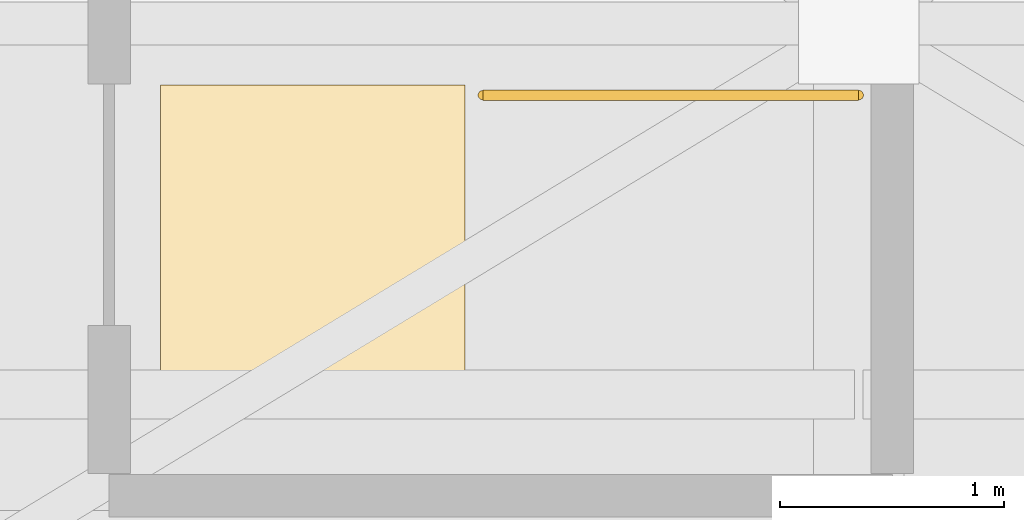
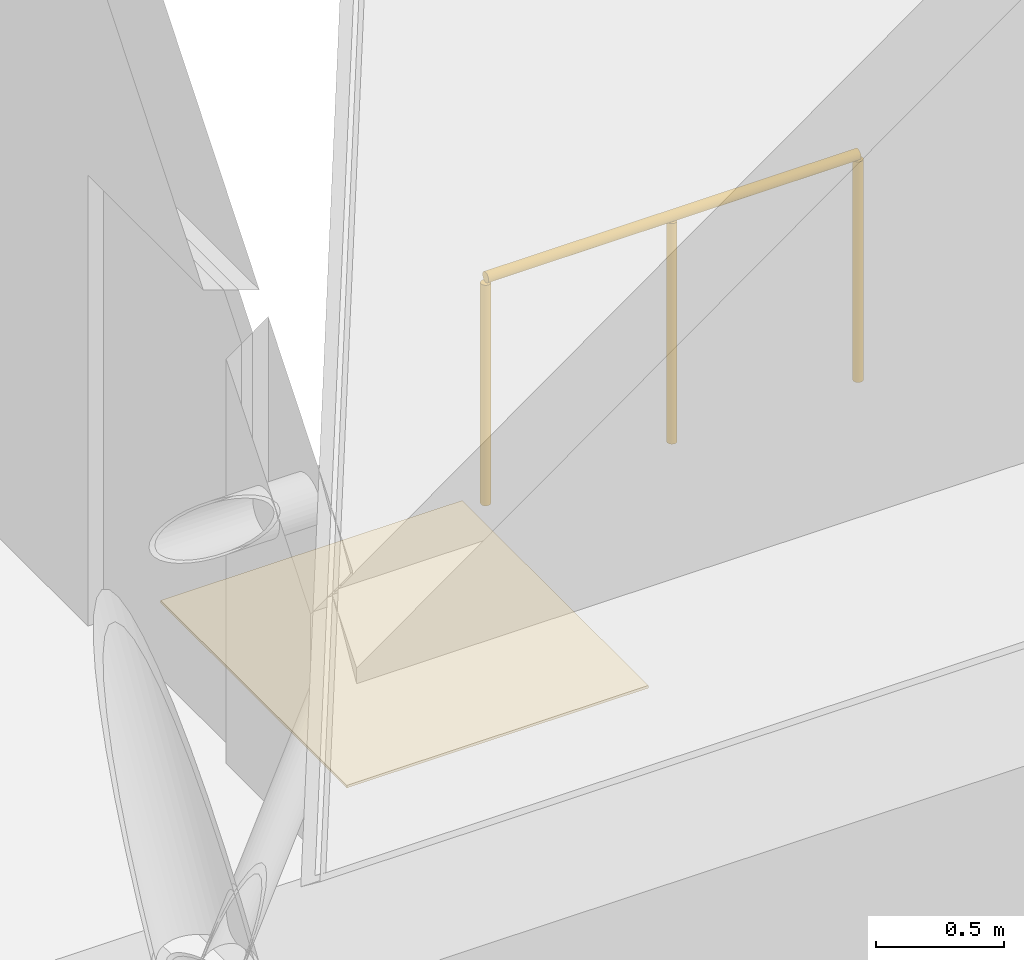
# One storey, part 111 of 128: 1 covering, 1 railing.
"""IFC4 building model written with IfcOpenShell, lengths in metres."""

from ifc_helpers import new_model, si_unit, direction, frame, origin, origin_2d, place, context, subcontext, project, spatial, polyline, circle, outline, extrude, material, layer, layer_set, type_object, element, save


model = new_model("IFC4")

# Units and contexts
model_context = context("Model", 3, precision=1e-05, world=origin(), true_north=direction((0.0, 1.0)))
body_context = subcontext(model_context, "Body", "Model", "MODEL_VIEW")
ifc_project = project(units=[si_unit("LENGTHUNIT", "METRE"), si_unit("AREAUNIT", "SQUARE_METRE"), si_unit("VOLUMEUNIT", "CUBIC_METRE"), si_unit("PLANEANGLEUNIT", "RADIAN"), si_unit("MASSUNIT", "GRAM", prefix="KILO")], contexts=[model_context])

# Site, building, storey
site_placement = place(None, origin())
site = spatial("IfcSite", under=ifc_project, at=site_placement, CompositionType="ELEMENT")
building_placement = place(site_placement, origin())
building = spatial("IfcBuilding", under=site, at=building_placement, Name="Telukmera Botanical Conservatory", CompositionType="ELEMENT")
storey_placement = place(building_placement, frame((0.0, 0.0, 5.39990234375)))
storey = spatial("IfcBuildingStorey", under=building, at=storey_placement, Name="L01", CompositionType="ELEMENT", Elevation=5.39990234375)

# Covering
ifc_material_1 = material(Name="Honed granite non-slip flooring", Category="masonry")
ifc_layer = layer(ifc_material_1, 0.011962890625)
ifc_layer_set = layer_set([ifc_layer], Name="Honed granite non-slip flooring")
covering_type = type_object("IfcCoveringType", Name="COV-FLR-12", PredefinedType="FLOORING", material=ifc_layer_set)
covering_placement = place(storey_placement, origin())
element("IfcCovering", 1, at=covering_placement, inside=storey, type_object=covering_type, Name="L01 ST5 Non-Slip Stair Landing Finish", PredefinedType="FLOORING", context=body_context, shape_type="SweptSolid", body=[
    extrude(outline(polyline([(128.43994140625, 18.419921875), (128.43994140625, 19.875), (127.080078125, 19.875), (127.080078125, 18.419921875), (128.43994140625, 18.419921875)])), origin(), (0.0, 0.0, 1.0), 0.01220703125),
])

# Railing
ifc_material_2 = material(Name="Steel S355", Category="steel")
railing_type = type_object("IfcRailingType", Name="RL-GUARD-1100", PredefinedType="GUARDRAIL", material=ifc_material_2)
railing_placement = place(storey_placement, frame((130.199951171875, 19.830078125, 0.0)))
element("IfcRailing", 2, at=railing_placement, inside=storey, type_object=railing_type, Name="L01 ST5 top well guard 1", PredefinedType="GUARDRAIL", context=body_context, shape_type="SweptSolid", body=[
    extrude(circle(Radius=0.02392578125, at=origin_2d()), frame((0.0, 0.0, 1.076171875), z_axis=(-1.0, 0.0, 0.0), x_axis=(0.0, -1.0, 0.0)), (0.0, 0.0, 1.0), 1.679931640625),
    extrude(circle(Radius=0.02099609375, at=origin_2d()), origin(), (0.0, 0.0, 1.0), 1.052001953125),
    extrude(circle(Radius=0.02099609375, at=origin_2d()), frame((-0.83984375, 0.0, 0.0)), (0.0, 0.0, 1.0), 1.052001953125),
    extrude(circle(Radius=0.02099609375, at=origin_2d()), frame((-1.679931640625, 0.0, 0.0)), (0.0, 0.0, 1.0), 1.052001953125),
])

save(model, "model.ifc")
